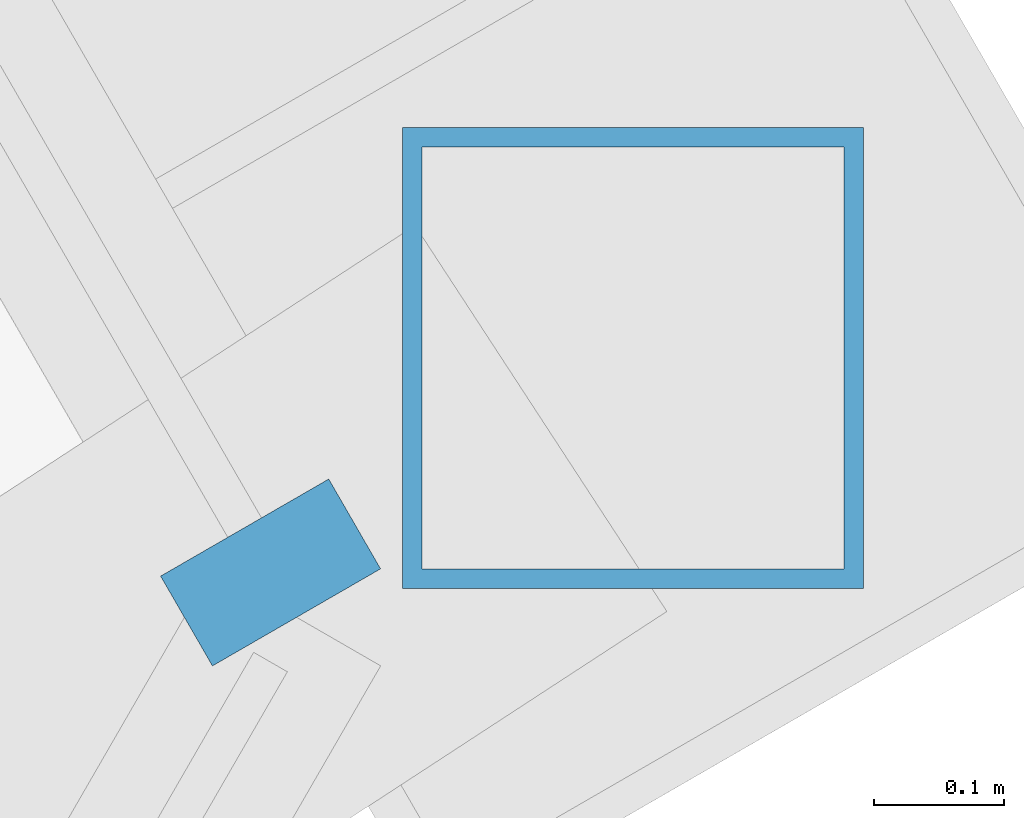
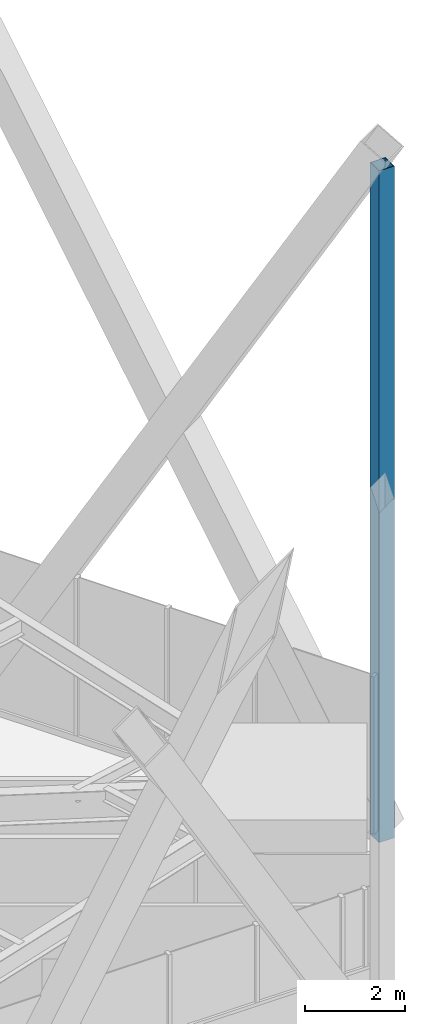
# One storey, part 13 of 26: 2 members, 1 element without a shape of its own.
"""IFC4 building model written with IfcOpenShell, lengths in metres."""

from ifc_helpers import new_model, si_unit, direction, frame, origin, origin_2d, place, context, subcontext, project, spatial, rectangle, hollow_rectangle, extrude, material, layer, layer_set, material_profile, profile_set, type_object, element, aggregate, save


model = new_model("IFC4")

# Units and contexts
model_context = context("Model", 3, precision=1e-05, world=origin(), true_north=direction((0.0, 1.0)))
body_context = subcontext(model_context, "Body", "Model", "MODEL_VIEW")
ifc_project = project(units=[si_unit("LENGTHUNIT", "METRE"), si_unit("AREAUNIT", "SQUARE_METRE"), si_unit("VOLUMEUNIT", "CUBIC_METRE"), si_unit("PLANEANGLEUNIT", "RADIAN"), si_unit("MASSUNIT", "GRAM", prefix="KILO")], contexts=[model_context])

# Site, building, storey
site_placement = place(None, origin())
site = spatial("IfcSite", under=ifc_project, at=site_placement, CompositionType="ELEMENT")
building_placement = place(site_placement, origin())
building = spatial("IfcBuilding", under=site, at=building_placement, Name="Firuza Gate Tower and Library", CompositionType="ELEMENT")
storey_placement = place(building_placement, frame((0.0, 0.0, 40.0)))
storey = spatial("IfcBuildingStorey", under=building, at=storey_placement, Name="L08", CompositionType="ELEMENT", Elevation=40.0)

# Curtain wall, member
ifc_material_1 = material(Name="Aluminium 6063-T6", Category="aluminium")
ifc_layer = layer(ifc_material_1, 0.14990234375)
ifc_layer_set = layer_set([ifc_layer], Name="Unitised curtain wall, offices")
curtain_wall_type = type_object("IfcCurtainWallType", Name="Unitised curtain wall, offices", PredefinedType="NOTDEFINED", material=ifc_layer_set)
curtain_wall_placement = place(storey_placement, origin())
curtain_wall = element("IfcCurtainWall", 1, at=curtain_wall_placement, inside=storey, type_object=curtain_wall_type, Name="CW1 L08 E face", PredefinedType="NOTDEFINED")
ifc_material_2 = material(Name="Aluminium 6063-T6", Category="aluminium")
ifc_material_profile_1 = material_profile(ifc_material_2, rectangle(XDim=0.14990234375, YDim=0.080078125, at=origin_2d()))
ifc_profile_set_1 = profile_set([ifc_material_profile_1], Name="Aluminium 6063-T6")
member_type_1 = type_object("IfcMemberType", Name="Curtain wall mullion 80x150", PredefinedType="MULLION", material=ifc_profile_set_1)
member_1_placement = place(storey_placement, frame((107.466552734375, 60.4853515625, 0.14990234375), z_axis=(0.0, 0.0, 1.0), x_axis=(-0.866025403784, -0.5, 0.0)))
member_1 = element("IfcMember", 2, at=member_1_placement, type_object=member_type_1, Name="Mullion", PredefinedType="MULLION", context=body_context, shape_type="SweptSolid", body=[
    extrude(rectangle(XDim=0.14990234375, YDim=0.080078125, at=origin_2d()), origin(), (0.0, 0.0, 1.0), 3.85009765625),
])
aggregate(curtain_wall, [member_1])

# Member
ifc_material_3 = material(Name="Steel S355", Category="steel")
ifc_material_profile_2 = material_profile(ifc_material_3, hollow_rectangle(XDim=0.355712890625, YDim=0.355712890625, WallThickness=0.014892578125, at=origin_2d()))
ifc_profile_set_2 = profile_set([ifc_material_profile_2], Name="Steel S355")
member_type_2 = type_object("IfcMemberType", Name="HSS356x356x16 Lattice corner stile", PredefinedType="BRACE", material=ifc_profile_set_2)
member_2_placement = place(storey_placement, frame((107.746337890625, 60.65087890625, -0.139892578125), z_axis=(0.0, 0.0, 1.0), x_axis=(1.0, 0.0, 0.0)))
element("IfcMember", 3, at=member_2_placement, inside=storey, type_object=member_type_2, Name="Lattice corner stile E 1.A", PredefinedType="BRACE", context=body_context, shape_type="SweptSolid", body=[
    extrude(hollow_rectangle(XDim=0.355712890625, YDim=0.355712890625, WallThickness=0.014892578125, at=origin_2d()), origin(), (0.0, 0.0, 1.0), 16.43994140625),
])

save(model, "model.ifc")
